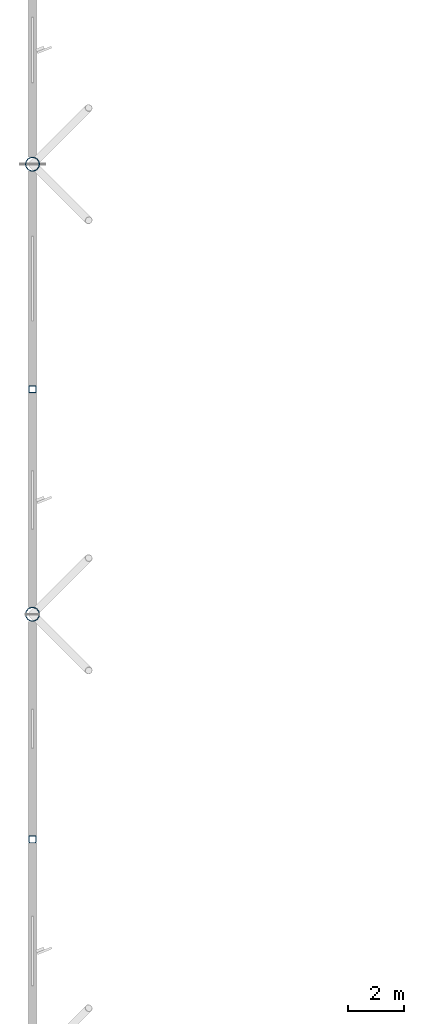
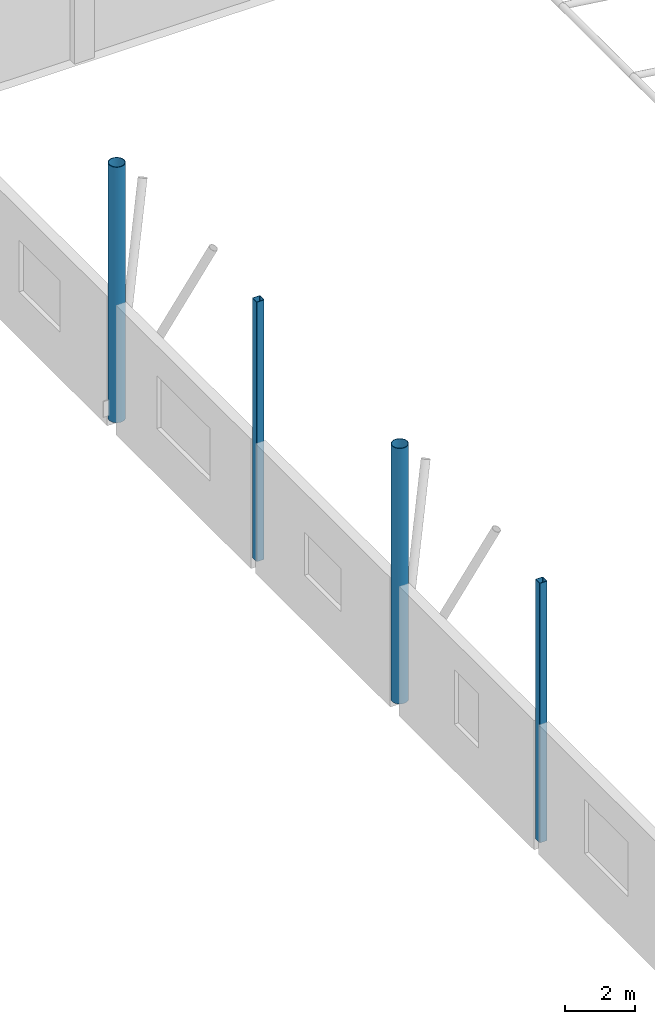
# One storey, part 6 of 89: 4 columns.
"""IFC4 building model written with IfcOpenShell, lengths in metres."""

from ifc_helpers import new_model, si_unit, direction, frame, origin, origin_2d, place, context, subcontext, project, spatial, hollow_rectangle, hollow_circle, extrude, material, material_profile, profile_set, type_object, element, save


model = new_model("IFC4")

# Units and contexts
model_context = context("Model", 3, precision=1e-05, world=origin(), true_north=direction((0.0, 1.0)))
body_context = subcontext(model_context, "Body", "Model", "MODEL_VIEW")
ifc_project = project(units=[si_unit("LENGTHUNIT", "METRE"), si_unit("AREAUNIT", "SQUARE_METRE"), si_unit("VOLUMEUNIT", "CUBIC_METRE"), si_unit("PLANEANGLEUNIT", "RADIAN"), si_unit("MASSUNIT", "GRAM", prefix="KILO")], contexts=[model_context])

# Site, building, storey
site_placement = place(None, origin())
site = spatial("IfcSite", under=ifc_project, at=site_placement, CompositionType="ELEMENT")
building_placement = place(site_placement, origin())
building = spatial("IfcBuilding", under=site, at=building_placement, Name="Vaudrelin Polytechnic", CompositionType="ELEMENT")
storey_placement = place(building_placement, frame((0.0, 0.0, 9.68994140625)))
storey = spatial("IfcBuildingStorey", under=building, at=storey_placement, Name="L02", CompositionType="ELEMENT", Elevation=9.68994140625)

# Columns
ifc_material_1 = material(Name="Steel CSA G40.21 350W", Category="steel")
ifc_material_profile_1 = material_profile(ifc_material_1, hollow_rectangle(XDim=0.25390625, YDim=0.25390625, WallThickness=0.0126953125, InnerFilletRadius=0.0126953125, OuterFilletRadius=0.025390625, at=origin_2d()), Name="HSS254x254x12.7")
ifc_profile_set_1 = profile_set([ifc_material_profile_1], Name="Steel CSA G40.21 350W")
column_type_1 = type_object("IfcColumnType", Name="COL-C-HSS254", PredefinedType="COLUMN", material=ifc_profile_set_1)
for number, where, z_axis, x_axis, name in (
    (1, (0.0, 56.699951171875, 0.0), (0.0, 0.0, 1.0), (1.0, 0.0, 0.0), "Workshop roof perimeter post 0-7"),
    (2, (0.0, 72.89990234375, 0.0), (0.0, 0.0, 1.0), (1.0, 0.0, 0.0), "Workshop roof perimeter post 0-9"),
):
    element("IfcColumn", number, at=place(storey_placement, frame(where, z_axis=z_axis, x_axis=x_axis)), inside=storey, type_object=column_type_1, Name=name, PredefinedType="COLUMN", context=body_context, shape_type="SweptSolid", body=[
        extrude(hollow_rectangle(XDim=0.25390625, YDim=0.25390625, WallThickness=0.0126953125, InnerFilletRadius=0.0126953125, OuterFilletRadius=0.025390625, at=origin_2d()), origin(), (0.0, 0.0, 1.0), 9.065673828125),
    ])
ifc_material_2 = material(Name="Steel CSA G40.21 350WT", Category="steel")
ifc_material_profile_2 = material_profile(ifc_material_2, hollow_circle(Radius=0.25390625, WallThickness=0.01904296875, at=origin_2d()), Name="CHS508.0x19.1")
ifc_profile_set_2 = profile_set([ifc_material_profile_2], Name="Steel CSA G40.21 350WT")
column_type_2 = type_object("IfcColumnType", Name="COL-C-TR508", PredefinedType="COLUMN", material=ifc_profile_set_2)
for number, where, z_axis, x_axis, name in (
    (3, (0.0, 64.800048828125, 0.0), (0.0, 0.0, 1.0), (1.0, 0.0, 0.0), "Space frame expressed tree stem 2"),
    (4, (0.0, 81.0, 0.0), (0.0, 0.0, 1.0), (1.0, 0.0, 0.0), "Space frame expressed tree stem 3"),
):
    element("IfcColumn", number, at=place(storey_placement, frame(where, z_axis=z_axis, x_axis=x_axis)), inside=storey, type_object=column_type_2, Name=name, PredefinedType="COLUMN", context=body_context, shape_type="SweptSolid", body=[
        extrude(hollow_circle(Radius=0.25390625, WallThickness=0.01904296875, at=origin_2d()), origin(), (0.0, 0.0, 1.0), 8.925537109375),
    ])

save(model, "model.ifc")
